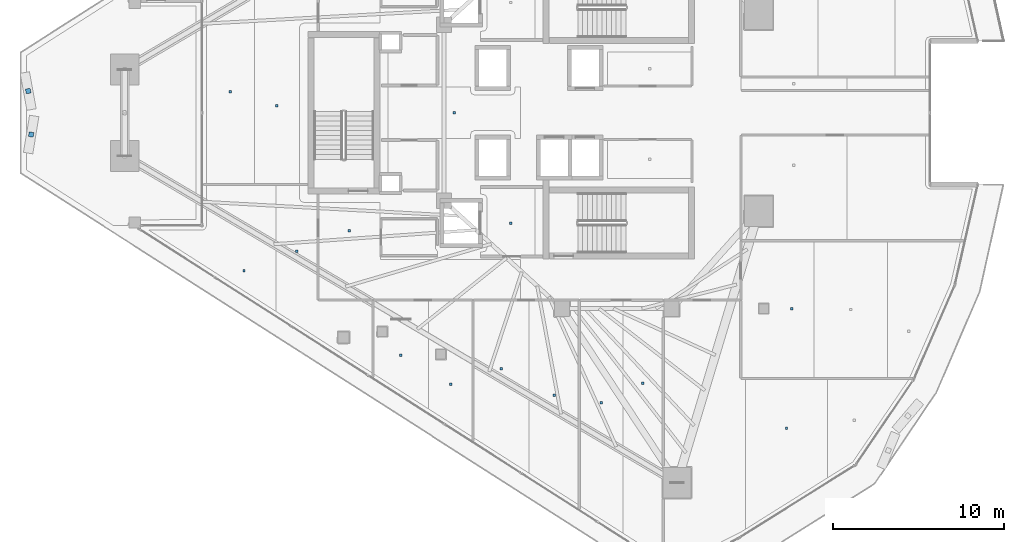
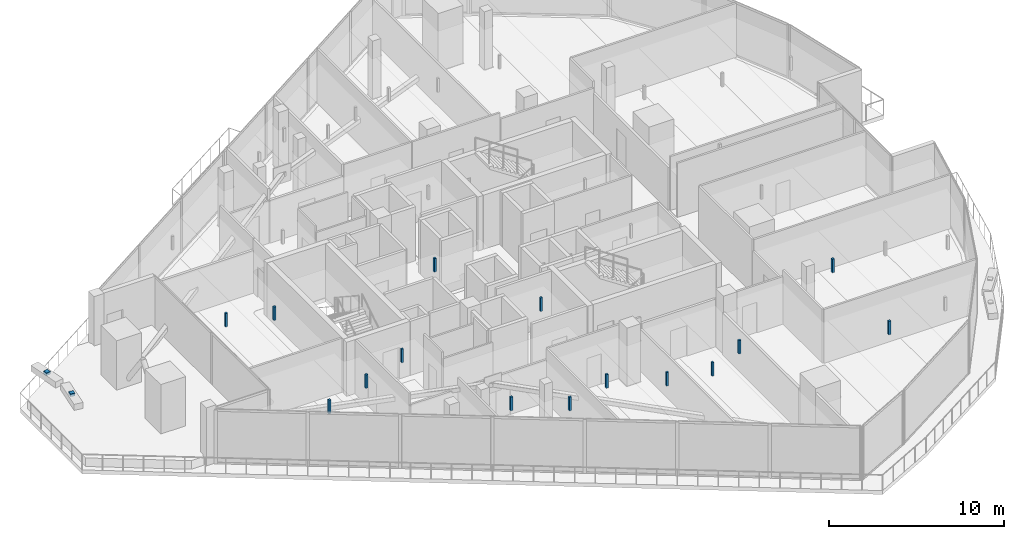
# One storey, part 32 of 40: 17 discrete accessories.
"""IFC4 building model written with IfcOpenShell, lengths in metres."""

from ifc_helpers import new_model, si_unit, direction, frame, origin, origin_2d, place, context, subcontext, project, spatial, rectangle, extrude, material, type_object, element, save


model = new_model("IFC4")

# Units and contexts
model_context = context("Model", 3, precision=1e-05, world=origin(), true_north=direction((0.0, 1.0)))
body_context = subcontext(model_context, "Body", "Model", "MODEL_VIEW")
ifc_project = project(units=[si_unit("LENGTHUNIT", "METRE"), si_unit("AREAUNIT", "SQUARE_METRE"), si_unit("VOLUMEUNIT", "CUBIC_METRE"), si_unit("PLANEANGLEUNIT", "RADIAN"), si_unit("MASSUNIT", "GRAM", prefix="KILO")], contexts=[model_context])

# Site, building, storey
site_placement = place(None, origin())
site = spatial("IfcSite", under=ifc_project, at=site_placement, CompositionType="ELEMENT")
building_placement = place(site_placement, origin())
building = spatial("IfcBuilding", under=site, at=building_placement, Name="Qorvath Tower", CompositionType="ELEMENT")
storey_placement = place(building_placement, frame((0.0, 0.0, 225.300048828125)))
storey = spatial("IfcBuildingStorey", under=building, at=storey_placement, Name="L52", CompositionType="ELEMENT", Elevation=225.300048828125)

# Discrete accessories
ifc_material = material(Name="Galvanised steel bracket", Category="steel")
discrete_accessory_type = type_object("IfcDiscreteAccessoryType", Name="DA-BRACKET", PredefinedType="BRACKET", material=ifc_material)
for number, where, z_axis, x_axis, name in (
    (1, (-54.81103515625, 1.271484375, 3.64013671875), (0.0, 0.0, 1.0), (0.178706050876, -0.983902509083, 0.0), "Louvre Wave Support Bracket L52-01"),
    (2, (-54.63671875, -1.271484375, 3.64013671875), (0.0, 0.0, 1.0), (-0.16192762137, -0.986802637531, 0.0), "Louvre Wave Support Bracket L52-02"),
):
    element("IfcDiscreteAccessory", number, at=place(storey_placement, frame(where, z_axis=z_axis, x_axis=x_axis)), inside=storey, type_object=discrete_accessory_type, Name=name, PredefinedType="NOTDEFINED", context=body_context, shape_type="SweptSolid", body=[
        extrude(rectangle(XDim=0.280029296875, YDim=0.280029296875, at=origin_2d()), origin(), (0.0, 0.0, 1.0), 0.199951171875),
    ])
for number, where, z_axis, x_axis, name in (
    (3, (-26.590087890625, -6.449951171875, 2.85986328125), (0.0, 0.0, 1.0), (1.0, 0.0, 0.0), "Acoustic Ceiling Suspension Hanger T1-L52-002"),
    (4, (-36.04150390625, -6.907470703125, 2.85986328125), (0.0, 0.0, 1.0), (1.0, 0.0, 0.0), "Acoustic Ceiling Suspension Hanger T1-L52-009"),
    (5, (-29.889892578125, 0.0, 2.85986328125), (0.0, 0.0, 1.0), (1.0, 0.0, 0.0), "Acoustic Ceiling Suspension Hanger T1-L52-011"),
    (6, (-33.029052734375, -14.18505859375, 2.85986328125), (0.0, 0.0, 1.0), (1.0, 0.0, 0.0), "Acoustic Ceiling Suspension Hanger T1-L52-021"),
    (7, (-30.11474609375, -15.875, 2.85986328125), (0.0, 0.0, 1.0), (1.0, 0.0, 0.0), "Acoustic Ceiling Suspension Hanger T1-L52-022"),
    (8, (-27.1591796875, -14.971435546875, 2.85986328125), (0.0, 0.0, 1.0), (1.0, 0.0, 0.0), "Acoustic Ceiling Suspension Hanger T1-L52-023"),
    (9, (-24.05615234375, -16.517333984375, 2.85986328125), (0.0, 0.0, 1.0), (1.0, 0.0, 0.0), "Acoustic Ceiling Suspension Hanger T1-L52-024"),
    (10, (-21.308837890625, -16.960205078125, 2.85986328125), (0.0, 0.0, 1.0), (1.0, 0.0, 0.0), "Acoustic Ceiling Suspension Hanger T1-L52-025"),
    (11, (-18.86962890625, -15.81494140625, 2.85986328125), (0.0, 0.0, 1.0), (1.0, 0.0, 0.0), "Acoustic Ceiling Suspension Hanger T1-L52-026"),
    (12, (-10.47509765625, -18.44482421875, 2.85986328125), (0.0, 0.0, 1.0), (1.0, 0.0, 0.0), "Acoustic Ceiling Suspension Hanger T1-L52-028"),
    (13, (-10.169921875, -11.449951171875, 2.85986328125), (0.0, 0.0, 1.0), (1.0, 0.0, 0.0), "Acoustic Ceiling Suspension Hanger T1-L52-030"),
    (14, (-42.19189453125, -9.232666015625, 2.85986328125), (0.0, 0.0, 1.0), (1.0, 0.0, 0.0), "Acoustic Ceiling Suspension Hanger T1-L52-039"),
    (15, (-39.098876953125, -8.100830078125, 2.85986328125), (0.0, 0.0, 1.0), (1.0, 0.0, 0.0), "Acoustic Ceiling Suspension Hanger T1-L52-040"),
    (16, (-42.9921875, 1.230712890625, 2.85986328125), (0.0, 0.0, 1.0), (1.0, 0.0, 0.0), "Acoustic Ceiling Suspension Hanger T1-L52-041"),
    (17, (-40.26953125, 0.399169921875, 2.85986328125), (0.0, 0.0, 1.0), (1.0, 0.0, 0.0), "Acoustic Ceiling Suspension Hanger T1-L52-042"),
):
    element("IfcDiscreteAccessory", number, at=place(storey_placement, frame(where, z_axis=z_axis, x_axis=x_axis)), inside=storey, type_object=discrete_accessory_type, Name=name, PredefinedType="NOTDEFINED", context=body_context, shape_type="SweptSolid", body=[
        extrude(rectangle(XDim=0.139892578125, YDim=0.139892578125, at=origin_2d()), origin(), (0.0, 0.0, 1.0), 0.9501953125),
    ])

save(model, "model.ifc")
